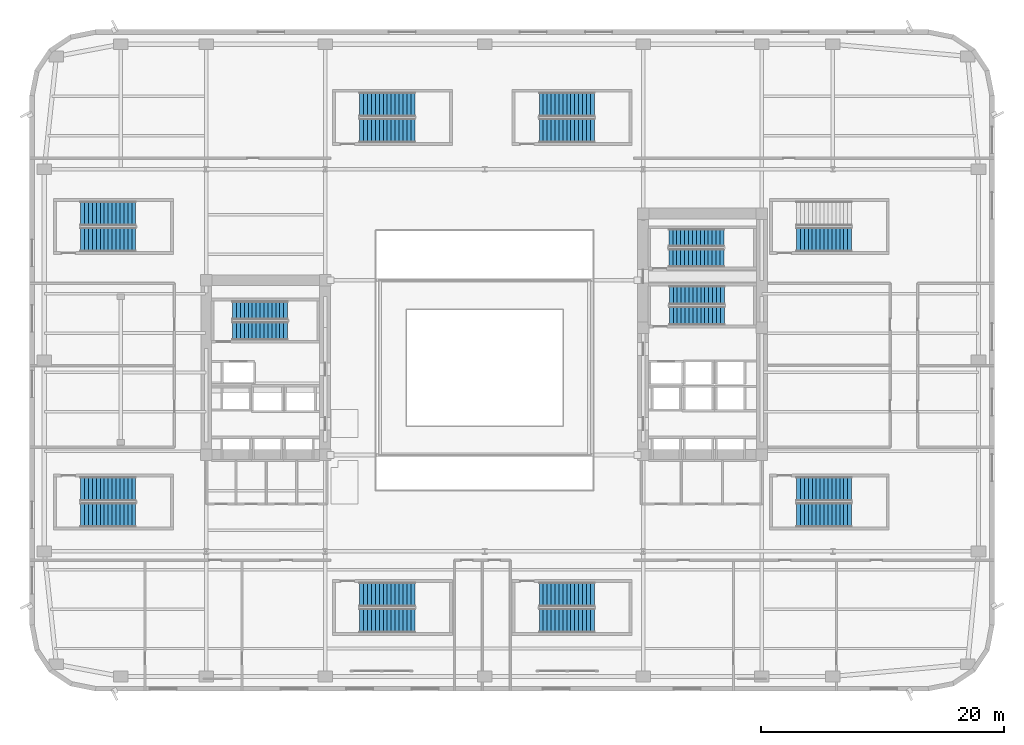
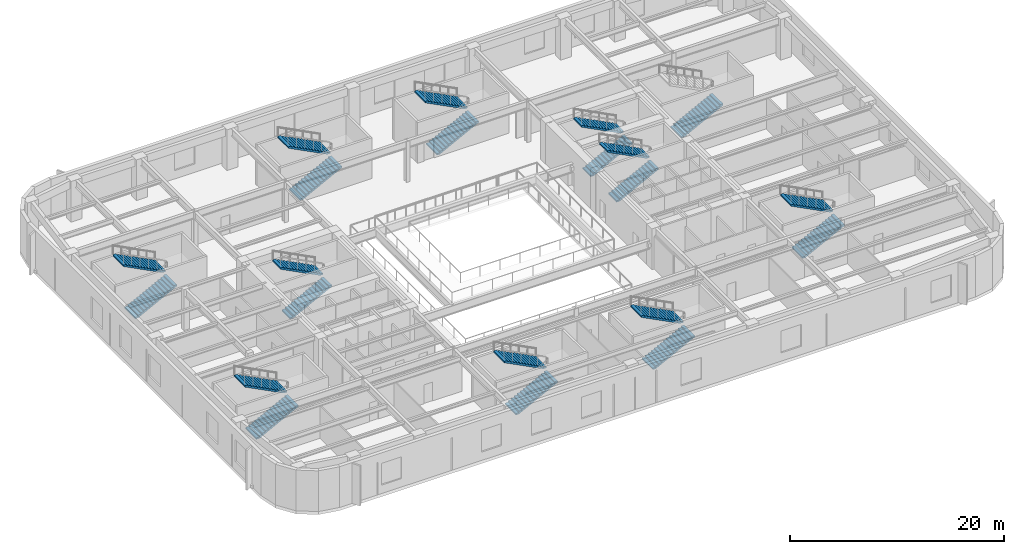
# One storey, part 11 of 22: 21 stair flights, 11 elements without a shape of their own.
"""IFC4 building model written with IfcOpenShell, lengths in metres."""

import ifcopenshell
import ifcopenshell.guid

model = None  # the IFC model being written
_history = None  # IfcOwnerHistory: only IFC2X3 demands one
_inside = {}  # id of a spatial element -> (the spatial element, [elements in it])
_under = {}  # id of a project, library or spatial element -> (it, [spatial elements below it])
_declared = {}  # id of a project -> (the project, [libraries it declares])
_typed = {}  # id of a type object -> (the type object, [elements of that type])
_made_of = {}  # id of a material, layer set ... -> (it, [elements and type objects made of it])


def new_model(schema):
    """Start an empty IFC model of exactly this schema.

    Asked for "IFC4X3", IfcOpenShell would pick the latest addendum, in which some entities
    have other attributes; the version numbers below select the first issue.
    IFC2X3 requires an IfcOwnerHistory on every rooted entity: one is made here for all.
    """
    global model, _history
    if schema == "IFC4X3":
        model = ifcopenshell.file(schema_version=(4, 3, 0, 0))
    else:
        model = ifcopenshell.file(schema=schema)
    _inside.clear()
    _under.clear()
    _declared.clear()
    _typed.clear()
    _made_of.clear()
    _history = None
    if model.schema == "IFC2X3":
        org = make("IfcOrganization", Name="unknown")
        user = make(
            "IfcPersonAndOrganization",
            ThePerson=make("IfcPerson", FamilyName="unknown"),
            TheOrganization=org,
        )
        app = make(
            "IfcApplication",
            ApplicationDeveloper=org,
            Version="unknown",
            ApplicationFullName="unknown",
            ApplicationIdentifier="unknown",
        )
        _history = make(
            "IfcOwnerHistory",
            OwningUser=user,
            OwningApplication=app,
            ChangeAction="ADDED",
            CreationDate=0,
        )
    return model


def make(cls, **values):
    """One entity of the class cls with the attributes given. An attribute that is None is left unset."""
    return model.create_entity(
        cls, **{name: value for name, value in values.items() if value is not None}
    )


def rooted(cls, **values):
    """An entity with a GlobalId (a new one), such as an element, a storey or a relation."""
    return make(cls, GlobalId=ifcopenshell.guid.new(), OwnerHistory=_history, **values)


def si_unit(unit_type, name, prefix=None):
    """IfcSIUnit, for example si_unit("LENGTHUNIT", "METRE", prefix="MILLI")."""
    return make("IfcSIUnit", UnitType=unit_type, Prefix=prefix, Name=name)


def assignment(units):
    """IfcUnitAssignment: the units of a project."""
    return None if units is None else make("IfcUnitAssignment", Units=units)


def point(xyz):
    """IfcCartesianPoint."""
    return None if xyz is None else make("IfcCartesianPoint", Coordinates=xyz)


def direction(xyz):
    """IfcDirection."""
    return None if xyz is None else make("IfcDirection", DirectionRatios=xyz)


def frame(location, z_axis=None, x_axis=None):
    """IfcAxis2Placement3D, a coordinate frame: its origin and axes. An axis left out is left unset."""
    return make(
        "IfcAxis2Placement3D",
        Location=point(location),
        Axis=direction(z_axis),
        RefDirection=direction(x_axis),
    )


def origin():
    """The frame at (0, 0, 0) with its axes left unset."""
    return frame((0.0, 0.0, 0.0))


def place(relative_to, where):
    """IfcLocalPlacement: puts the frame where relative to a parent placement (None: the world)."""
    return make(
        "IfcLocalPlacement", PlacementRelTo=relative_to, RelativePlacement=where
    )


def context(
    kind, dimensions, precision=None, world=None, true_north=None, identifier=None
):
    """IfcGeometricRepresentationContext, for example the 3D "Model" context."""
    return make(
        "IfcGeometricRepresentationContext",
        ContextIdentifier=identifier,
        ContextType=kind,
        CoordinateSpaceDimension=dimensions,
        Precision=precision,
        WorldCoordinateSystem=world,
        TrueNorth=true_north,
    )


def subcontext(parent, identifier, kind, view, scale=None):
    """IfcGeometricRepresentationSubContext, for example "Body" below "Model"."""
    return make(
        "IfcGeometricRepresentationSubContext",
        ContextIdentifier=identifier,
        ContextType=kind,
        ParentContext=parent,
        TargetScale=scale,
        TargetView=view,
    )


def project(units=None, contexts=None):
    """IfcProject with its units and contexts."""
    return rooted(
        "IfcProject",
        Name="project",
        RepresentationContexts=contexts,
        UnitsInContext=assignment(units),
    )


def spatial(cls, under=None, at=None, **own):
    """A site, building, storey or space (cls), placed at a placement, below another one or the project."""
    s = rooted(cls, ObjectPlacement=at, **own)
    if under is not None:
        _under.setdefault(under.id(), (under, []))[1].append(s)
    return s


def polyline(points):
    """IfcPolyline through the points."""
    return make("IfcPolyline", Points=[point(p) for p in points])


def outline(outer, holes=None, kind="AREA"):
    """IfcArbitraryClosedProfileDef: a profile drawn as a closed curve; with holes, ...WithVoids."""
    if holes is None:
        return make("IfcArbitraryClosedProfileDef", ProfileType=kind, OuterCurve=outer)
    return make(
        "IfcArbitraryProfileDefWithVoids",
        ProfileType=kind,
        OuterCurve=outer,
        InnerCurves=holes,
    )


def extrude(swept, where, along, depth):
    """IfcExtrudedAreaSolid: the profile swept, set in the frame where, extruded along a direction by depth."""
    return make(
        "IfcExtrudedAreaSolid",
        SweptArea=swept,
        Position=where,
        ExtrudedDirection=direction(along),
        Depth=depth,
    )


def shape(context_of_items, identifier, shape_type, items):
    """IfcShapeRepresentation: the items that make up one representation, for example the "Body"."""
    return make(
        "IfcShapeRepresentation",
        ContextOfItems=context_of_items,
        RepresentationIdentifier=identifier,
        RepresentationType=shape_type,
        Items=items,
    )


def material(Name=None, Category=None):
    """IfcMaterial."""
    return make("IfcMaterial", Name=Name, Category=Category)


def made_of(thing, what):
    """Note that an element or type object is made of a material, layer set ...; save() writes the relation."""
    if what is not None:
        _made_of.setdefault(what.id(), (what, []))[1].append(thing)
    return thing


def type_object(cls, material=None, **own):
    """A type object (cls), such as IfcWallType, which elements share."""
    return made_of(rooted(cls, **own), material)


def element(
    cls,
    number,
    at=None,
    inside=None,
    cuts=None,
    type_object=None,
    material=None,
    context=None,
    identifier="Body",
    shape_type=None,
    held_by="IfcProductDefinitionShape",
    body=None,
    shapes=None,
    **own,
):
    """One element of the class cls, such as IfcWall. Its Tag is "e" and its number.

    at: its placement. inside: the storey or other place that contains it. cuts: it is an
    opening in that element (IfcRelVoidsElement). A single representation is given by context,
    identifier, shape_type and body (its items); several are given by shapes. held_by: the class
    of the entity that holds the representations. save() writes the other relations.
    """
    e = rooted(cls, Tag="e%d" % number, ObjectPlacement=at, **own)
    if body is not None:
        shapes = [shape(context, identifier, shape_type, body)]
    if shapes is not None:
        e.Representation = make(held_by, Representations=shapes)
    if inside is not None:
        _inside.setdefault(inside.id(), (inside, []))[1].append(e)
    if cuts is not None:
        rooted(
            "IfcRelVoidsElement", RelatingBuildingElement=cuts, RelatedOpeningElement=e
        )
    if type_object is not None:
        _typed.setdefault(type_object.id(), (type_object, []))[1].append(e)
    return made_of(e, material)


def aggregate(whole, parts):
    """IfcRelAggregates: a whole, such as a stair, and the parts it consists of."""
    return rooted("IfcRelAggregates", RelatingObject=whole, RelatedObjects=parts)


def save(model, path):
    """Write the relations noted so far, then the file.

    IfcRelAggregates (storeys below a building ...), IfcRelContainedInSpatialStructure (elements
    in a storey), IfcRelDefinesByType, IfcRelAssociatesMaterial and IfcRelDeclares: one each for
    every whole, place, type object, material and project.
    """
    for whole, parts in _under.values():
        aggregate(whole, parts)
    for where, things in _inside.values():
        rooted(
            "IfcRelContainedInSpatialStructure",
            RelatedElements=things,
            RelatingStructure=where,
        )
    for kind, things in _typed.values():
        rooted("IfcRelDefinesByType", RelatedObjects=things, RelatingType=kind)
    for what, things in _made_of.values():
        rooted("IfcRelAssociatesMaterial", RelatedObjects=things, RelatingMaterial=what)
    for by, libraries in _declared.values():
        rooted("IfcRelDeclares", RelatingContext=by, RelatedDefinitions=libraries)
    model.write(path)


model = new_model("IFC4")

# Units and contexts
model_context = context("Model", 3, precision=1e-05, world=origin(), true_north=direction((0.0, 1.0)))
body_context = subcontext(model_context, "Body", "Model", "MODEL_VIEW")
ifc_project = project(units=[si_unit("LENGTHUNIT", "METRE"), si_unit("AREAUNIT", "SQUARE_METRE"), si_unit("VOLUMEUNIT", "CUBIC_METRE"), si_unit("PLANEANGLEUNIT", "RADIAN"), si_unit("MASSUNIT", "GRAM", prefix="KILO")], contexts=[model_context])

# Site, building, storey
site_placement = place(None, origin())
site = spatial("IfcSite", under=ifc_project, at=site_placement, CompositionType="ELEMENT")
building_placement = place(site_placement, origin())
building = spatial("IfcBuilding", under=site, at=building_placement, Name="Kolvaren Arena Tower", CompositionType="ELEMENT")
storey_placement = place(building_placement, frame((0.0, 0.0, 13.0)))
storey = spatial("IfcBuildingStorey", under=building, at=storey_placement, Name="L02", CompositionType="ELEMENT", Elevation=13.0)

# Stair, stair flights
ifc_material = material(Name="Concrete 45 MPa", Category="concrete")
stair_type_1 = type_object("IfcStairType", Name="STAIR-CORE-150", PredefinedType="HALF_TURN_STAIR", material=ifc_material)
stair_1_placement = place(storey_placement, origin())
stair_1 = element("IfcStair", 1, at=stair_1_placement, inside=storey, type_object=stair_type_1, Name="L02 ST-E2", PredefinedType="HALF_TURN_STAIR")
stair_flight_type_1 = type_object("IfcStairFlightType", Name="FLT-150", PredefinedType="STRAIGHT", material=ifc_material)
stair_flight_1_placement = place(storey_placement, frame((52.679931640625, 35.699951171875, 0.0), z_axis=(0.0, 0.0, 1.0), x_axis=(1.0, 0.0, 0.0)))
stair_flight_1 = element("IfcStairFlight", 2, at=stair_flight_1_placement, type_object=stair_flight_type_1, Name="ST-E2 flight 1", NumberOfRisers=15, NumberOfTreads=14, PredefinedType="STRAIGHT", RiserHeight=0.166666667, TreadLength=0.324, context=body_context, shape_type="SweptSolid", body=[
    extrude(outline(polyline([(0.0, 0.0), (0.0, 0.166748046875), (0.323974609375, 0.166748046875), (0.323974609375, 0.333251953125), (0.64794921875, 0.333251953125), (0.64794921875, 0.5), (0.971923828125, 0.5), (0.971923828125, 0.666748046875), (1.2958984375, 0.666748046875), (1.2958984375, 0.833251953125), (1.6201171875, 0.833251953125), (1.6201171875, 1.0), (1.944091796875, 1.0), (1.944091796875, 1.166748046875), (2.26806640625, 1.166748046875), (2.26806640625, 1.333251953125), (2.592041015625, 1.333251953125), (2.592041015625, 1.5), (2.916015625, 1.5), (2.916015625, 1.666748046875), (3.239990234375, 1.666748046875), (3.239990234375, 1.833251953125), (3.56396484375, 1.833251953125), (3.56396484375, 2.0), (3.887939453125, 2.0), (3.887939453125, 2.166748046875), (4.2119140625, 2.166748046875), (4.2119140625, 2.333251953125), (4.535888671875, 2.333251953125), (4.535888671875, 2.5), (4.535888671875, 2.164794921875), (0.32763671875, 0.0), (0.0, 0.0)])), frame((0.0, 0.75, 0.0), z_axis=(0.0, -1.0, 0.0), x_axis=(1.0, 0.0, 0.0)), (0.0, 0.0, 1.0), 1.5),
])
stair_flight_2_placement = place(storey_placement, frame((57.216064453125, 37.35009765625, 2.5), z_axis=(0.0, 0.0, 1.0), x_axis=(-1.0, 0.0, 0.0)))
stair_flight_2 = element("IfcStairFlight", 3, at=stair_flight_2_placement, type_object=stair_flight_type_1, Name="ST-E2 flight 2", NumberOfRisers=15, NumberOfTreads=14, PredefinedType="STRAIGHT", RiserHeight=0.166666667, TreadLength=0.324, context=body_context, shape_type="SweptSolid", body=[
    extrude(outline(polyline([(0.0, 0.0), (0.0, 0.166748046875), (0.323974609375, 0.166748046875), (0.323974609375, 0.333251953125), (0.64794921875, 0.333251953125), (0.64794921875, 0.5), (0.971923828125, 0.5), (0.971923828125, 0.666748046875), (1.2958984375, 0.666748046875), (1.2958984375, 0.833251953125), (1.6201171875, 0.833251953125), (1.6201171875, 1.0), (1.944091796875, 1.0), (1.944091796875, 1.166748046875), (2.26806640625, 1.166748046875), (2.26806640625, 1.333251953125), (2.592041015625, 1.333251953125), (2.592041015625, 1.5), (2.916015625, 1.5), (2.916015625, 1.666748046875), (3.239990234375, 1.666748046875), (3.239990234375, 1.833251953125), (3.56396484375, 1.833251953125), (3.56396484375, 2.0), (3.887939453125, 2.0), (3.887939453125, 2.166748046875), (4.2119140625, 2.166748046875), (4.2119140625, 2.333251953125), (4.535888671875, 2.333251953125), (4.535888671875, 2.5), (4.535888671875, 2.164794921875), (0.32763671875, 0.0), (0.0, 0.0)])), frame((0.0, 0.75, 0.0), z_axis=(0.0, -1.0, 0.0), x_axis=(1.0, 0.0, 0.0)), (0.0, 0.0, 1.0), 1.5),
])
aggregate(stair_1, [stair_flight_1, stair_flight_2])

stair_type_2 = type_object("IfcStairType", Name="STAIR-CORE-165", PredefinedType="HALF_TURN_STAIR", material=ifc_material)
stair_2_placement = place(storey_placement, origin())
stair_2 = element("IfcStair", 4, at=stair_2_placement, inside=storey, type_object=stair_type_2, Name="L02 ST-W1", PredefinedType="HALF_TURN_STAIR")
stair_flight_type_2 = type_object("IfcStairFlightType", Name="FLT-165", PredefinedType="STRAIGHT", material=ifc_material)
stair_flight_3_placement = place(storey_placement, frame((16.719970703125, 29.669921875, 0.0), z_axis=(0.0, 0.0, 1.0), x_axis=(1.0, 0.0, 0.0)))
stair_flight_3 = element("IfcStairFlight", 5, at=stair_flight_3_placement, type_object=stair_flight_type_2, Name="ST-W1 flight 1", NumberOfRisers=15, NumberOfTreads=14, PredefinedType="STRAIGHT", RiserHeight=0.166666667, TreadLength=0.324, context=body_context, shape_type="SweptSolid", body=[
    extrude(outline(polyline([(0.0, 0.0), (0.0, 0.166748046875), (0.323974609375, 0.166748046875), (0.323974609375, 0.333251953125), (0.64794921875, 0.333251953125), (0.64794921875, 0.5), (0.971923828125, 0.5), (0.971923828125, 0.666748046875), (1.2958984375, 0.666748046875), (1.2958984375, 0.833251953125), (1.6201171875, 0.833251953125), (1.6201171875, 1.0), (1.944091796875, 1.0), (1.944091796875, 1.166748046875), (2.26806640625, 1.166748046875), (2.26806640625, 1.333251953125), (2.592041015625, 1.333251953125), (2.592041015625, 1.5), (2.916015625, 1.5), (2.916015625, 1.666748046875), (3.239990234375, 1.666748046875), (3.239990234375, 1.833251953125), (3.56396484375, 1.833251953125), (3.56396484375, 2.0), (3.887939453125, 2.0), (3.887939453125, 2.166748046875), (4.2119140625, 2.166748046875), (4.2119140625, 2.333251953125), (4.535888671875, 2.333251953125), (4.535888671875, 2.5), (4.535888671875, 2.164794921875), (0.32763671875, 0.0), (0.0, 0.0)])), frame((0.0, 0.77001953125, 0.0), z_axis=(0.0, -1.0, 0.0), x_axis=(1.0, 0.0, 0.0)), (0.0, 0.0, 1.0), 1.5400390625),
])
stair_flight_4_placement = place(storey_placement, frame((21.256103515625, 31.360107421875, 2.5), z_axis=(0.0, 0.0, 1.0), x_axis=(-1.0, 0.0, 0.0)))
stair_flight_4 = element("IfcStairFlight", 6, at=stair_flight_4_placement, type_object=stair_flight_type_2, Name="ST-W1 flight 2", NumberOfRisers=15, NumberOfTreads=14, PredefinedType="STRAIGHT", RiserHeight=0.166666667, TreadLength=0.324, context=body_context, shape_type="SweptSolid", body=[
    extrude(outline(polyline([(0.0, 0.0), (0.0, 0.166748046875), (0.323974609375, 0.166748046875), (0.323974609375, 0.333251953125), (0.64794921875, 0.333251953125), (0.64794921875, 0.5), (0.971923828125, 0.5), (0.971923828125, 0.666748046875), (1.2958984375, 0.666748046875), (1.2958984375, 0.833251953125), (1.6201171875, 0.833251953125), (1.6201171875, 1.0), (1.944091796875, 1.0), (1.944091796875, 1.166748046875), (2.26806640625, 1.166748046875), (2.26806640625, 1.333251953125), (2.592041015625, 1.333251953125), (2.592041015625, 1.5), (2.916015625, 1.5), (2.916015625, 1.666748046875), (3.239990234375, 1.666748046875), (3.239990234375, 1.833251953125), (3.56396484375, 1.833251953125), (3.56396484375, 2.0), (3.887939453125, 2.0), (3.887939453125, 2.166748046875), (4.2119140625, 2.166748046875), (4.2119140625, 2.333251953125), (4.535888671875, 2.333251953125), (4.535888671875, 2.5), (4.535888671875, 2.164794921875), (0.32763671875, 0.0), (0.0, 0.0)])), frame((0.0, 0.77001953125, 0.0), z_axis=(0.0, -1.0, 0.0), x_axis=(1.0, 0.0, 0.0)), (0.0, 0.0, 1.0), 1.5400390625),
])
aggregate(stair_2, [stair_flight_3, stair_flight_4])

stair_3_placement = place(storey_placement, origin())
stair_3 = element("IfcStair", 7, at=stair_3_placement, inside=storey, type_object=stair_type_2, Name="L02 ST-E1", PredefinedType="HALF_TURN_STAIR")
stair_flight_5_placement = place(storey_placement, frame((52.719970703125, 30.919921875, 0.0), z_axis=(0.0, 0.0, 1.0), x_axis=(1.0, 0.0, 0.0)))
stair_flight_5 = element("IfcStairFlight", 8, at=stair_flight_5_placement, type_object=stair_flight_type_2, Name="ST-E1 flight 1", NumberOfRisers=15, NumberOfTreads=14, PredefinedType="STRAIGHT", RiserHeight=0.166666667, TreadLength=0.324, context=body_context, shape_type="SweptSolid", body=[
    extrude(outline(polyline([(0.0, 0.0), (0.0, 0.166748046875), (0.323974609375, 0.166748046875), (0.323974609375, 0.333251953125), (0.64794921875, 0.333251953125), (0.64794921875, 0.5), (0.971923828125, 0.5), (0.971923828125, 0.666748046875), (1.2958984375, 0.666748046875), (1.2958984375, 0.833251953125), (1.6201171875, 0.833251953125), (1.6201171875, 1.0), (1.944091796875, 1.0), (1.944091796875, 1.166748046875), (2.26806640625, 1.166748046875), (2.26806640625, 1.333251953125), (2.592041015625, 1.333251953125), (2.592041015625, 1.5), (2.916015625, 1.5), (2.916015625, 1.666748046875), (3.239990234375, 1.666748046875), (3.239990234375, 1.833251953125), (3.56396484375, 1.833251953125), (3.56396484375, 2.0), (3.887939453125, 2.0), (3.887939453125, 2.166748046875), (4.2119140625, 2.166748046875), (4.2119140625, 2.333251953125), (4.535888671875, 2.333251953125), (4.535888671875, 2.5), (4.535888671875, 2.164794921875), (0.32763671875, 0.0), (0.0, 0.0)])), frame((0.0, 0.77001953125, 0.0), z_axis=(0.0, -1.0, 0.0), x_axis=(1.0, 0.0, 0.0)), (0.0, 0.0, 1.0), 1.5400390625),
])
stair_flight_6_placement = place(storey_placement, frame((57.256103515625, 32.610107421875, 2.5), z_axis=(0.0, 0.0, 1.0), x_axis=(-1.0, 0.0, 0.0)))
stair_flight_6 = element("IfcStairFlight", 9, at=stair_flight_6_placement, type_object=stair_flight_type_2, Name="ST-E1 flight 2", NumberOfRisers=15, NumberOfTreads=14, PredefinedType="STRAIGHT", RiserHeight=0.166666667, TreadLength=0.324, context=body_context, shape_type="SweptSolid", body=[
    extrude(outline(polyline([(0.0, 0.0), (0.0, 0.166748046875), (0.323974609375, 0.166748046875), (0.323974609375, 0.333251953125), (0.64794921875, 0.333251953125), (0.64794921875, 0.5), (0.971923828125, 0.5), (0.971923828125, 0.666748046875), (1.2958984375, 0.666748046875), (1.2958984375, 0.833251953125), (1.6201171875, 0.833251953125), (1.6201171875, 1.0), (1.944091796875, 1.0), (1.944091796875, 1.166748046875), (2.26806640625, 1.166748046875), (2.26806640625, 1.333251953125), (2.592041015625, 1.333251953125), (2.592041015625, 1.5), (2.916015625, 1.5), (2.916015625, 1.666748046875), (3.239990234375, 1.666748046875), (3.239990234375, 1.833251953125), (3.56396484375, 1.833251953125), (3.56396484375, 2.0), (3.887939453125, 2.0), (3.887939453125, 2.166748046875), (4.2119140625, 2.166748046875), (4.2119140625, 2.333251953125), (4.535888671875, 2.333251953125), (4.535888671875, 2.5), (4.535888671875, 2.164794921875), (0.32763671875, 0.0), (0.0, 0.0)])), frame((0.0, 0.77001953125, 0.0), z_axis=(0.0, -1.0, 0.0), x_axis=(1.0, 0.0, 0.0)), (0.0, 0.0, 1.0), 1.5400390625),
])
aggregate(stair_3, [stair_flight_5, stair_flight_6])

stair_type_3 = type_object("IfcStairType", Name="STAIR-ARENA-220", PredefinedType="HALF_TURN_STAIR", material=ifc_material)
stair_4_placement = place(storey_placement, origin())
stair_4 = element("IfcStair", 10, at=stair_4_placement, inside=storey, type_object=stair_type_3, Name="L02 ST-A1", PredefinedType="HALF_TURN_STAIR")
stair_flight_type_3 = type_object("IfcStairFlightType", Name="FLT-220", PredefinedType="STRAIGHT", material=ifc_material)
stair_flight_7_placement = place(storey_placement, frame((4.199951171875, 14.5, 0.0), z_axis=(0.0, 0.0, 1.0), x_axis=(1.0, 0.0, 0.0)))
stair_flight_7 = element("IfcStairFlight", 11, at=stair_flight_7_placement, type_object=stair_flight_type_3, Name="ST-A1 flight 1", NumberOfRisers=15, NumberOfTreads=14, PredefinedType="STRAIGHT", RiserHeight=0.166666667, TreadLength=0.324, context=body_context, shape_type="SweptSolid", body=[
    extrude(outline(polyline([(0.0, 0.0), (0.0, 0.166748046875), (0.323974609375, 0.166748046875), (0.323974609375, 0.333251953125), (0.64794921875, 0.333251953125), (0.64794921875, 0.5), (0.971923828125, 0.5), (0.971923828125, 0.666748046875), (1.2958984375, 0.666748046875), (1.2958984375, 0.833251953125), (1.6201171875, 0.833251953125), (1.6201171875, 1.0), (1.944091796875, 1.0), (1.944091796875, 1.166748046875), (2.26806640625, 1.166748046875), (2.26806640625, 1.333251953125), (2.592041015625, 1.333251953125), (2.592041015625, 1.5), (2.916015625, 1.5), (2.916015625, 1.666748046875), (3.239990234375, 1.666748046875), (3.239990234375, 1.833251953125), (3.56396484375, 1.833251953125), (3.56396484375, 2.0), (3.887939453125, 2.0), (3.887939453125, 2.166748046875), (4.2119140625, 2.166748046875), (4.2119140625, 2.333251953125), (4.535888671875, 2.333251953125), (4.535888671875, 2.5), (4.535888671875, 2.164794921875), (0.32763671875, 0.0), (0.0, 0.0)])), frame((0.0, 1.0, 0.0), z_axis=(0.0, -1.0, 0.0), x_axis=(1.0, 0.0, 0.0)), (0.0, 0.0, 1.0), 2.0),
])
stair_flight_8_placement = place(storey_placement, frame((8.736083984375, 16.64990234375, 2.5), z_axis=(0.0, 0.0, 1.0), x_axis=(-1.0, 0.0, 0.0)))
stair_flight_8 = element("IfcStairFlight", 12, at=stair_flight_8_placement, type_object=stair_flight_type_3, Name="ST-A1 flight 2", NumberOfRisers=15, NumberOfTreads=14, PredefinedType="STRAIGHT", RiserHeight=0.166666667, TreadLength=0.324, context=body_context, shape_type="SweptSolid", body=[
    extrude(outline(polyline([(0.0, 0.0), (0.0, 0.166748046875), (0.323974609375, 0.166748046875), (0.323974609375, 0.333251953125), (0.64794921875, 0.333251953125), (0.64794921875, 0.5), (0.971923828125, 0.5), (0.971923828125, 0.666748046875), (1.2958984375, 0.666748046875), (1.2958984375, 0.833251953125), (1.6201171875, 0.833251953125), (1.6201171875, 1.0), (1.944091796875, 1.0), (1.944091796875, 1.166748046875), (2.26806640625, 1.166748046875), (2.26806640625, 1.333251953125), (2.592041015625, 1.333251953125), (2.592041015625, 1.5), (2.916015625, 1.5), (2.916015625, 1.666748046875), (3.239990234375, 1.666748046875), (3.239990234375, 1.833251953125), (3.56396484375, 1.833251953125), (3.56396484375, 2.0), (3.887939453125, 2.0), (3.887939453125, 2.166748046875), (4.2119140625, 2.166748046875), (4.2119140625, 2.333251953125), (4.535888671875, 2.333251953125), (4.535888671875, 2.5), (4.535888671875, 2.164794921875), (0.32763671875, 0.0), (0.0, 0.0)])), frame((0.0, 1.0, 0.0), z_axis=(0.0, -1.0, 0.0), x_axis=(1.0, 0.0, 0.0)), (0.0, 0.0, 1.0), 2.0),
])
aggregate(stair_4, [stair_flight_7, stair_flight_8])

stair_5_placement = place(storey_placement, origin())
stair_5 = element("IfcStair", 13, at=stair_5_placement, inside=storey, type_object=stair_type_3, Name="L02 ST-A2", PredefinedType="HALF_TURN_STAIR")
stair_flight_9_placement = place(storey_placement, frame((27.199951171875, 5.800048828125, 0.0), z_axis=(0.0, 0.0, 1.0), x_axis=(1.0, 0.0, 0.0)))
stair_flight_9 = element("IfcStairFlight", 14, at=stair_flight_9_placement, type_object=stair_flight_type_3, Name="ST-A2 flight 1", NumberOfRisers=15, NumberOfTreads=14, PredefinedType="STRAIGHT", RiserHeight=0.166666667, TreadLength=0.324, context=body_context, shape_type="SweptSolid", body=[
    extrude(outline(polyline([(0.0, 0.0), (0.0, 0.166748046875), (0.323974609375, 0.166748046875), (0.323974609375, 0.333251953125), (0.64794921875, 0.333251953125), (0.64794921875, 0.5), (0.971923828125, 0.5), (0.971923828125, 0.666748046875), (1.2958984375, 0.666748046875), (1.2958984375, 0.833251953125), (1.6201171875, 0.833251953125), (1.6201171875, 1.0), (1.944091796875, 1.0), (1.944091796875, 1.166748046875), (2.26806640625, 1.166748046875), (2.26806640625, 1.333251953125), (2.592041015625, 1.333251953125), (2.592041015625, 1.5), (2.916015625, 1.5), (2.916015625, 1.666748046875), (3.239990234375, 1.666748046875), (3.239990234375, 1.833251953125), (3.56396484375, 1.833251953125), (3.56396484375, 2.0), (3.887939453125, 2.0), (3.887939453125, 2.166748046875), (4.2119140625, 2.166748046875), (4.2119140625, 2.333251953125), (4.535888671875, 2.333251953125), (4.535888671875, 2.5), (4.535888671875, 2.164794921875), (0.32763671875, 0.0), (0.0, 0.0)])), frame((0.0, 1.0, 0.0), z_axis=(0.0, -1.0, 0.0), x_axis=(1.0, 0.0, 0.0)), (0.0, 0.0, 1.0), 2.0),
])
stair_flight_10_placement = place(storey_placement, frame((31.736083984375, 7.949951171875, 2.5), z_axis=(0.0, 0.0, 1.0), x_axis=(-1.0, 0.0, 0.0)))
stair_flight_10 = element("IfcStairFlight", 15, at=stair_flight_10_placement, type_object=stair_flight_type_3, Name="ST-A2 flight 2", NumberOfRisers=15, NumberOfTreads=14, PredefinedType="STRAIGHT", RiserHeight=0.166666667, TreadLength=0.324, context=body_context, shape_type="SweptSolid", body=[
    extrude(outline(polyline([(0.0, 0.0), (0.0, 0.166748046875), (0.323974609375, 0.166748046875), (0.323974609375, 0.333251953125), (0.64794921875, 0.333251953125), (0.64794921875, 0.5), (0.971923828125, 0.5), (0.971923828125, 0.666748046875), (1.2958984375, 0.666748046875), (1.2958984375, 0.833251953125), (1.6201171875, 0.833251953125), (1.6201171875, 1.0), (1.944091796875, 1.0), (1.944091796875, 1.166748046875), (2.26806640625, 1.166748046875), (2.26806640625, 1.333251953125), (2.592041015625, 1.333251953125), (2.592041015625, 1.5), (2.916015625, 1.5), (2.916015625, 1.666748046875), (3.239990234375, 1.666748046875), (3.239990234375, 1.833251953125), (3.56396484375, 1.833251953125), (3.56396484375, 2.0), (3.887939453125, 2.0), (3.887939453125, 2.166748046875), (4.2119140625, 2.166748046875), (4.2119140625, 2.333251953125), (4.535888671875, 2.333251953125), (4.535888671875, 2.5), (4.535888671875, 2.164794921875), (0.32763671875, 0.0), (0.0, 0.0)])), frame((0.0, 1.0, 0.0), z_axis=(0.0, -1.0, 0.0), x_axis=(1.0, 0.0, 0.0)), (0.0, 0.0, 1.0), 2.0),
])
aggregate(stair_5, [stair_flight_9, stair_flight_10])

stair_6_placement = place(storey_placement, origin())
stair_6 = element("IfcStair", 16, at=stair_6_placement, inside=storey, type_object=stair_type_3, Name="L02 ST-A3", PredefinedType="HALF_TURN_STAIR")
stair_flight_11_placement = place(storey_placement, frame((42.0, 5.800048828125, 0.0), z_axis=(0.0, 0.0, 1.0), x_axis=(1.0, 0.0, 0.0)))
stair_flight_11 = element("IfcStairFlight", 17, at=stair_flight_11_placement, type_object=stair_flight_type_3, Name="ST-A3 flight 1", NumberOfRisers=15, NumberOfTreads=14, PredefinedType="STRAIGHT", RiserHeight=0.166666667, TreadLength=0.324, context=body_context, shape_type="SweptSolid", body=[
    extrude(outline(polyline([(0.0, 0.0), (0.0, 0.166748046875), (0.323974609375, 0.166748046875), (0.323974609375, 0.333251953125), (0.64794921875, 0.333251953125), (0.64794921875, 0.5), (0.971923828125, 0.5), (0.971923828125, 0.666748046875), (1.2958984375, 0.666748046875), (1.2958984375, 0.833251953125), (1.6201171875, 0.833251953125), (1.6201171875, 1.0), (1.944091796875, 1.0), (1.944091796875, 1.166748046875), (2.26806640625, 1.166748046875), (2.26806640625, 1.333251953125), (2.592041015625, 1.333251953125), (2.592041015625, 1.5), (2.916015625, 1.5), (2.916015625, 1.666748046875), (3.239990234375, 1.666748046875), (3.239990234375, 1.833251953125), (3.56396484375, 1.833251953125), (3.56396484375, 2.0), (3.887939453125, 2.0), (3.887939453125, 2.166748046875), (4.2119140625, 2.166748046875), (4.2119140625, 2.333251953125), (4.535888671875, 2.333251953125), (4.535888671875, 2.5), (4.535888671875, 2.164794921875), (0.32763671875, 0.0), (0.0, 0.0)])), frame((0.0, 1.0, 0.0), z_axis=(0.0, -1.0, 0.0), x_axis=(1.0, 0.0, 0.0)), (0.0, 0.0, 1.0), 2.0),
])
stair_flight_12_placement = place(storey_placement, frame((46.535888671875, 7.949951171875, 2.5), z_axis=(0.0, 0.0, 1.0), x_axis=(-1.0, 0.0, 0.0)))
stair_flight_12 = element("IfcStairFlight", 18, at=stair_flight_12_placement, type_object=stair_flight_type_3, Name="ST-A3 flight 2", NumberOfRisers=15, NumberOfTreads=14, PredefinedType="STRAIGHT", RiserHeight=0.166666667, TreadLength=0.324, context=body_context, shape_type="SweptSolid", body=[
    extrude(outline(polyline([(0.0, 0.0), (0.0, 0.166748046875), (0.323974609375, 0.166748046875), (0.323974609375, 0.333251953125), (0.64794921875, 0.333251953125), (0.64794921875, 0.5), (0.971923828125, 0.5), (0.971923828125, 0.666748046875), (1.2958984375, 0.666748046875), (1.2958984375, 0.833251953125), (1.6201171875, 0.833251953125), (1.6201171875, 1.0), (1.944091796875, 1.0), (1.944091796875, 1.166748046875), (2.26806640625, 1.166748046875), (2.26806640625, 1.333251953125), (2.592041015625, 1.333251953125), (2.592041015625, 1.5), (2.916015625, 1.5), (2.916015625, 1.666748046875), (3.239990234375, 1.666748046875), (3.239990234375, 1.833251953125), (3.56396484375, 1.833251953125), (3.56396484375, 2.0), (3.887939453125, 2.0), (3.887939453125, 2.166748046875), (4.2119140625, 2.166748046875), (4.2119140625, 2.333251953125), (4.535888671875, 2.333251953125), (4.535888671875, 2.5), (4.535888671875, 2.164794921875), (0.32763671875, 0.0), (0.0, 0.0)])), frame((0.0, 1.0, 0.0), z_axis=(0.0, -1.0, 0.0), x_axis=(1.0, 0.0, 0.0)), (0.0, 0.0, 1.0), 2.0),
])
aggregate(stair_6, [stair_flight_11, stair_flight_12])

stair_7_placement = place(storey_placement, origin())
stair_7 = element("IfcStair", 19, at=stair_7_placement, inside=storey, type_object=stair_type_3, Name="L02 ST-A4", PredefinedType="HALF_TURN_STAIR")
stair_flight_13_placement = place(storey_placement, frame((63.199951171875, 14.5, 0.0), z_axis=(0.0, 0.0, 1.0), x_axis=(1.0, 0.0, 0.0)))
stair_flight_13 = element("IfcStairFlight", 20, at=stair_flight_13_placement, type_object=stair_flight_type_3, Name="ST-A4 flight 1", NumberOfRisers=15, NumberOfTreads=14, PredefinedType="STRAIGHT", RiserHeight=0.166666667, TreadLength=0.324, context=body_context, shape_type="SweptSolid", body=[
    extrude(outline(polyline([(0.0, 0.0), (0.0, 0.166748046875), (0.323974609375, 0.166748046875), (0.323974609375, 0.333251953125), (0.64794921875, 0.333251953125), (0.64794921875, 0.5), (0.971923828125, 0.5), (0.971923828125, 0.666748046875), (1.2958984375, 0.666748046875), (1.2958984375, 0.833251953125), (1.6201171875, 0.833251953125), (1.6201171875, 1.0), (1.944091796875, 1.0), (1.944091796875, 1.166748046875), (2.26806640625, 1.166748046875), (2.26806640625, 1.333251953125), (2.592041015625, 1.333251953125), (2.592041015625, 1.5), (2.916015625, 1.5), (2.916015625, 1.666748046875), (3.239990234375, 1.666748046875), (3.239990234375, 1.833251953125), (3.56396484375, 1.833251953125), (3.56396484375, 2.0), (3.887939453125, 2.0), (3.887939453125, 2.166748046875), (4.2119140625, 2.166748046875), (4.2119140625, 2.333251953125), (4.535888671875, 2.333251953125), (4.535888671875, 2.5), (4.535888671875, 2.164794921875), (0.32763671875, 0.0), (0.0, 0.0)])), frame((0.0, 1.0, 0.0), z_axis=(0.0, -1.0, 0.0), x_axis=(1.0, 0.0, 0.0)), (0.0, 0.0, 1.0), 2.0),
])
stair_flight_14_placement = place(storey_placement, frame((67.736083984375, 16.64990234375, 2.5), z_axis=(0.0, 0.0, 1.0), x_axis=(-1.0, 0.0, 0.0)))
stair_flight_14 = element("IfcStairFlight", 21, at=stair_flight_14_placement, type_object=stair_flight_type_3, Name="ST-A4 flight 2", NumberOfRisers=15, NumberOfTreads=14, PredefinedType="STRAIGHT", RiserHeight=0.166666667, TreadLength=0.324, context=body_context, shape_type="SweptSolid", body=[
    extrude(outline(polyline([(0.0, 0.0), (0.0, 0.166748046875), (0.323974609375, 0.166748046875), (0.323974609375, 0.333251953125), (0.64794921875, 0.333251953125), (0.64794921875, 0.5), (0.971923828125, 0.5), (0.971923828125, 0.666748046875), (1.2958984375, 0.666748046875), (1.2958984375, 0.833251953125), (1.6201171875, 0.833251953125), (1.6201171875, 1.0), (1.944091796875, 1.0), (1.944091796875, 1.166748046875), (2.26806640625, 1.166748046875), (2.26806640625, 1.333251953125), (2.592041015625, 1.333251953125), (2.592041015625, 1.5), (2.916015625, 1.5), (2.916015625, 1.666748046875), (3.239990234375, 1.666748046875), (3.239990234375, 1.833251953125), (3.56396484375, 1.833251953125), (3.56396484375, 2.0), (3.887939453125, 2.0), (3.887939453125, 2.166748046875), (4.2119140625, 2.166748046875), (4.2119140625, 2.333251953125), (4.535888671875, 2.333251953125), (4.535888671875, 2.5), (4.535888671875, 2.164794921875), (0.32763671875, 0.0), (0.0, 0.0)])), frame((0.0, 1.0, 0.0), z_axis=(0.0, -1.0, 0.0), x_axis=(1.0, 0.0, 0.0)), (0.0, 0.0, 1.0), 2.0),
])
aggregate(stair_7, [stair_flight_13, stair_flight_14])

stair_8_placement = place(storey_placement, origin())
stair_8 = element("IfcStair", 22, at=stair_8_placement, inside=storey, type_object=stair_type_3, Name="L02 ST-A5", PredefinedType="HALF_TURN_STAIR")
stair_flight_15_placement = place(storey_placement, frame((4.199951171875, 37.199951171875, 0.0), z_axis=(0.0, 0.0, 1.0), x_axis=(1.0, 0.0, 0.0)))
stair_flight_15 = element("IfcStairFlight", 23, at=stair_flight_15_placement, type_object=stair_flight_type_3, Name="ST-A5 flight 1", NumberOfRisers=15, NumberOfTreads=14, PredefinedType="STRAIGHT", RiserHeight=0.166666667, TreadLength=0.324, context=body_context, shape_type="SweptSolid", body=[
    extrude(outline(polyline([(0.0, 0.0), (0.0, 0.166748046875), (0.323974609375, 0.166748046875), (0.323974609375, 0.333251953125), (0.64794921875, 0.333251953125), (0.64794921875, 0.5), (0.971923828125, 0.5), (0.971923828125, 0.666748046875), (1.2958984375, 0.666748046875), (1.2958984375, 0.833251953125), (1.6201171875, 0.833251953125), (1.6201171875, 1.0), (1.944091796875, 1.0), (1.944091796875, 1.166748046875), (2.26806640625, 1.166748046875), (2.26806640625, 1.333251953125), (2.592041015625, 1.333251953125), (2.592041015625, 1.5), (2.916015625, 1.5), (2.916015625, 1.666748046875), (3.239990234375, 1.666748046875), (3.239990234375, 1.833251953125), (3.56396484375, 1.833251953125), (3.56396484375, 2.0), (3.887939453125, 2.0), (3.887939453125, 2.166748046875), (4.2119140625, 2.166748046875), (4.2119140625, 2.333251953125), (4.535888671875, 2.333251953125), (4.535888671875, 2.5), (4.535888671875, 2.164794921875), (0.32763671875, 0.0), (0.0, 0.0)])), frame((0.0, 1.0, 0.0), z_axis=(0.0, -1.0, 0.0), x_axis=(1.0, 0.0, 0.0)), (0.0, 0.0, 1.0), 2.0),
])
stair_flight_16_placement = place(storey_placement, frame((8.736083984375, 39.35009765625, 2.5), z_axis=(0.0, 0.0, 1.0), x_axis=(-1.0, 0.0, 0.0)))
stair_flight_16 = element("IfcStairFlight", 24, at=stair_flight_16_placement, type_object=stair_flight_type_3, Name="ST-A5 flight 2", NumberOfRisers=15, NumberOfTreads=14, PredefinedType="STRAIGHT", RiserHeight=0.166666667, TreadLength=0.324, context=body_context, shape_type="SweptSolid", body=[
    extrude(outline(polyline([(0.0, 0.0), (0.0, 0.166748046875), (0.323974609375, 0.166748046875), (0.323974609375, 0.333251953125), (0.64794921875, 0.333251953125), (0.64794921875, 0.5), (0.971923828125, 0.5), (0.971923828125, 0.666748046875), (1.2958984375, 0.666748046875), (1.2958984375, 0.833251953125), (1.6201171875, 0.833251953125), (1.6201171875, 1.0), (1.944091796875, 1.0), (1.944091796875, 1.166748046875), (2.26806640625, 1.166748046875), (2.26806640625, 1.333251953125), (2.592041015625, 1.333251953125), (2.592041015625, 1.5), (2.916015625, 1.5), (2.916015625, 1.666748046875), (3.239990234375, 1.666748046875), (3.239990234375, 1.833251953125), (3.56396484375, 1.833251953125), (3.56396484375, 2.0), (3.887939453125, 2.0), (3.887939453125, 2.166748046875), (4.2119140625, 2.166748046875), (4.2119140625, 2.333251953125), (4.535888671875, 2.333251953125), (4.535888671875, 2.5), (4.535888671875, 2.164794921875), (0.32763671875, 0.0), (0.0, 0.0)])), frame((0.0, 1.0, 0.0), z_axis=(0.0, -1.0, 0.0), x_axis=(1.0, 0.0, 0.0)), (0.0, 0.0, 1.0), 2.0),
])
aggregate(stair_8, [stair_flight_15, stair_flight_16])

stair_9_placement = place(storey_placement, origin())
stair_9 = element("IfcStair", 25, at=stair_9_placement, inside=storey, type_object=stair_type_3, Name="L02 ST-A6", PredefinedType="HALF_TURN_STAIR")
stair_flight_17_placement = place(storey_placement, frame((27.199951171875, 46.199951171875, 0.0), z_axis=(0.0, 0.0, 1.0), x_axis=(1.0, 0.0, 0.0)))
stair_flight_17 = element("IfcStairFlight", 26, at=stair_flight_17_placement, type_object=stair_flight_type_3, Name="ST-A6 flight 1", NumberOfRisers=15, NumberOfTreads=14, PredefinedType="STRAIGHT", RiserHeight=0.166666667, TreadLength=0.324, context=body_context, shape_type="SweptSolid", body=[
    extrude(outline(polyline([(0.0, 0.0), (0.0, 0.166748046875), (0.323974609375, 0.166748046875), (0.323974609375, 0.333251953125), (0.64794921875, 0.333251953125), (0.64794921875, 0.5), (0.971923828125, 0.5), (0.971923828125, 0.666748046875), (1.2958984375, 0.666748046875), (1.2958984375, 0.833251953125), (1.6201171875, 0.833251953125), (1.6201171875, 1.0), (1.944091796875, 1.0), (1.944091796875, 1.166748046875), (2.26806640625, 1.166748046875), (2.26806640625, 1.333251953125), (2.592041015625, 1.333251953125), (2.592041015625, 1.5), (2.916015625, 1.5), (2.916015625, 1.666748046875), (3.239990234375, 1.666748046875), (3.239990234375, 1.833251953125), (3.56396484375, 1.833251953125), (3.56396484375, 2.0), (3.887939453125, 2.0), (3.887939453125, 2.166748046875), (4.2119140625, 2.166748046875), (4.2119140625, 2.333251953125), (4.535888671875, 2.333251953125), (4.535888671875, 2.5), (4.535888671875, 2.164794921875), (0.32763671875, 0.0), (0.0, 0.0)])), frame((0.0, 1.0, 0.0), z_axis=(0.0, -1.0, 0.0), x_axis=(1.0, 0.0, 0.0)), (0.0, 0.0, 1.0), 2.0),
])
stair_flight_18_placement = place(storey_placement, frame((31.736083984375, 48.35009765625, 2.5), z_axis=(0.0, 0.0, 1.0), x_axis=(-1.0, 0.0, 0.0)))
stair_flight_18 = element("IfcStairFlight", 27, at=stair_flight_18_placement, type_object=stair_flight_type_3, Name="ST-A6 flight 2", NumberOfRisers=15, NumberOfTreads=14, PredefinedType="STRAIGHT", RiserHeight=0.166666667, TreadLength=0.324, context=body_context, shape_type="SweptSolid", body=[
    extrude(outline(polyline([(0.0, 0.0), (0.0, 0.166748046875), (0.323974609375, 0.166748046875), (0.323974609375, 0.333251953125), (0.64794921875, 0.333251953125), (0.64794921875, 0.5), (0.971923828125, 0.5), (0.971923828125, 0.666748046875), (1.2958984375, 0.666748046875), (1.2958984375, 0.833251953125), (1.6201171875, 0.833251953125), (1.6201171875, 1.0), (1.944091796875, 1.0), (1.944091796875, 1.166748046875), (2.26806640625, 1.166748046875), (2.26806640625, 1.333251953125), (2.592041015625, 1.333251953125), (2.592041015625, 1.5), (2.916015625, 1.5), (2.916015625, 1.666748046875), (3.239990234375, 1.666748046875), (3.239990234375, 1.833251953125), (3.56396484375, 1.833251953125), (3.56396484375, 2.0), (3.887939453125, 2.0), (3.887939453125, 2.166748046875), (4.2119140625, 2.166748046875), (4.2119140625, 2.333251953125), (4.535888671875, 2.333251953125), (4.535888671875, 2.5), (4.535888671875, 2.164794921875), (0.32763671875, 0.0), (0.0, 0.0)])), frame((0.0, 1.0, 0.0), z_axis=(0.0, -1.0, 0.0), x_axis=(1.0, 0.0, 0.0)), (0.0, 0.0, 1.0), 2.0),
])
aggregate(stair_9, [stair_flight_17, stair_flight_18])

stair_10_placement = place(storey_placement, origin())
stair_10 = element("IfcStair", 28, at=stair_10_placement, inside=storey, type_object=stair_type_3, Name="L02 ST-A7", PredefinedType="HALF_TURN_STAIR")
stair_flight_19_placement = place(storey_placement, frame((42.0, 46.199951171875, 0.0), z_axis=(0.0, 0.0, 1.0), x_axis=(1.0, 0.0, 0.0)))
stair_flight_19 = element("IfcStairFlight", 29, at=stair_flight_19_placement, type_object=stair_flight_type_3, Name="ST-A7 flight 1", NumberOfRisers=15, NumberOfTreads=14, PredefinedType="STRAIGHT", RiserHeight=0.166666667, TreadLength=0.324, context=body_context, shape_type="SweptSolid", body=[
    extrude(outline(polyline([(0.0, 0.0), (0.0, 0.166748046875), (0.323974609375, 0.166748046875), (0.323974609375, 0.333251953125), (0.64794921875, 0.333251953125), (0.64794921875, 0.5), (0.971923828125, 0.5), (0.971923828125, 0.666748046875), (1.2958984375, 0.666748046875), (1.2958984375, 0.833251953125), (1.6201171875, 0.833251953125), (1.6201171875, 1.0), (1.944091796875, 1.0), (1.944091796875, 1.166748046875), (2.26806640625, 1.166748046875), (2.26806640625, 1.333251953125), (2.592041015625, 1.333251953125), (2.592041015625, 1.5), (2.916015625, 1.5), (2.916015625, 1.666748046875), (3.239990234375, 1.666748046875), (3.239990234375, 1.833251953125), (3.56396484375, 1.833251953125), (3.56396484375, 2.0), (3.887939453125, 2.0), (3.887939453125, 2.166748046875), (4.2119140625, 2.166748046875), (4.2119140625, 2.333251953125), (4.535888671875, 2.333251953125), (4.535888671875, 2.5), (4.535888671875, 2.164794921875), (0.32763671875, 0.0), (0.0, 0.0)])), frame((0.0, 1.0, 0.0), z_axis=(0.0, -1.0, 0.0), x_axis=(1.0, 0.0, 0.0)), (0.0, 0.0, 1.0), 2.0),
])
stair_flight_20_placement = place(storey_placement, frame((46.535888671875, 48.35009765625, 2.5), z_axis=(0.0, 0.0, 1.0), x_axis=(-1.0, 0.0, 0.0)))
stair_flight_20 = element("IfcStairFlight", 30, at=stair_flight_20_placement, type_object=stair_flight_type_3, Name="ST-A7 flight 2", NumberOfRisers=15, NumberOfTreads=14, PredefinedType="STRAIGHT", RiserHeight=0.166666667, TreadLength=0.324, context=body_context, shape_type="SweptSolid", body=[
    extrude(outline(polyline([(0.0, 0.0), (0.0, 0.166748046875), (0.323974609375, 0.166748046875), (0.323974609375, 0.333251953125), (0.64794921875, 0.333251953125), (0.64794921875, 0.5), (0.971923828125, 0.5), (0.971923828125, 0.666748046875), (1.2958984375, 0.666748046875), (1.2958984375, 0.833251953125), (1.6201171875, 0.833251953125), (1.6201171875, 1.0), (1.944091796875, 1.0), (1.944091796875, 1.166748046875), (2.26806640625, 1.166748046875), (2.26806640625, 1.333251953125), (2.592041015625, 1.333251953125), (2.592041015625, 1.5), (2.916015625, 1.5), (2.916015625, 1.666748046875), (3.239990234375, 1.666748046875), (3.239990234375, 1.833251953125), (3.56396484375, 1.833251953125), (3.56396484375, 2.0), (3.887939453125, 2.0), (3.887939453125, 2.166748046875), (4.2119140625, 2.166748046875), (4.2119140625, 2.333251953125), (4.535888671875, 2.333251953125), (4.535888671875, 2.5), (4.535888671875, 2.164794921875), (0.32763671875, 0.0), (0.0, 0.0)])), frame((0.0, 1.0, 0.0), z_axis=(0.0, -1.0, 0.0), x_axis=(1.0, 0.0, 0.0)), (0.0, 0.0, 1.0), 2.0),
])
aggregate(stair_10, [stair_flight_19, stair_flight_20])

# Stair, stair flight
stair_11_placement = place(storey_placement, origin())
stair_11 = element("IfcStair", 31, at=stair_11_placement, inside=storey, type_object=stair_type_3, Name="L02 ST-A8", PredefinedType="HALF_TURN_STAIR")
stair_flight_21_placement = place(storey_placement, frame((63.199951171875, 37.199951171875, 0.0), z_axis=(0.0, 0.0, 1.0), x_axis=(1.0, 0.0, 0.0)))
stair_flight_21 = element("IfcStairFlight", 32, at=stair_flight_21_placement, type_object=stair_flight_type_3, Name="ST-A8 flight 1", NumberOfRisers=15, NumberOfTreads=14, PredefinedType="STRAIGHT", RiserHeight=0.166666667, TreadLength=0.324, context=body_context, shape_type="SweptSolid", body=[
    extrude(outline(polyline([(0.0, 0.0), (0.0, 0.166748046875), (0.323974609375, 0.166748046875), (0.323974609375, 0.333251953125), (0.64794921875, 0.333251953125), (0.64794921875, 0.5), (0.971923828125, 0.5), (0.971923828125, 0.666748046875), (1.2958984375, 0.666748046875), (1.2958984375, 0.833251953125), (1.6201171875, 0.833251953125), (1.6201171875, 1.0), (1.944091796875, 1.0), (1.944091796875, 1.166748046875), (2.26806640625, 1.166748046875), (2.26806640625, 1.333251953125), (2.592041015625, 1.333251953125), (2.592041015625, 1.5), (2.916015625, 1.5), (2.916015625, 1.666748046875), (3.239990234375, 1.666748046875), (3.239990234375, 1.833251953125), (3.56396484375, 1.833251953125), (3.56396484375, 2.0), (3.887939453125, 2.0), (3.887939453125, 2.166748046875), (4.2119140625, 2.166748046875), (4.2119140625, 2.333251953125), (4.535888671875, 2.333251953125), (4.535888671875, 2.5), (4.535888671875, 2.164794921875), (0.32763671875, 0.0), (0.0, 0.0)])), frame((0.0, 1.0, 0.0), z_axis=(0.0, -1.0, 0.0), x_axis=(1.0, 0.0, 0.0)), (0.0, 0.0, 1.0), 2.0),
])
aggregate(stair_11, [stair_flight_21])

save(model, "model.ifc")
